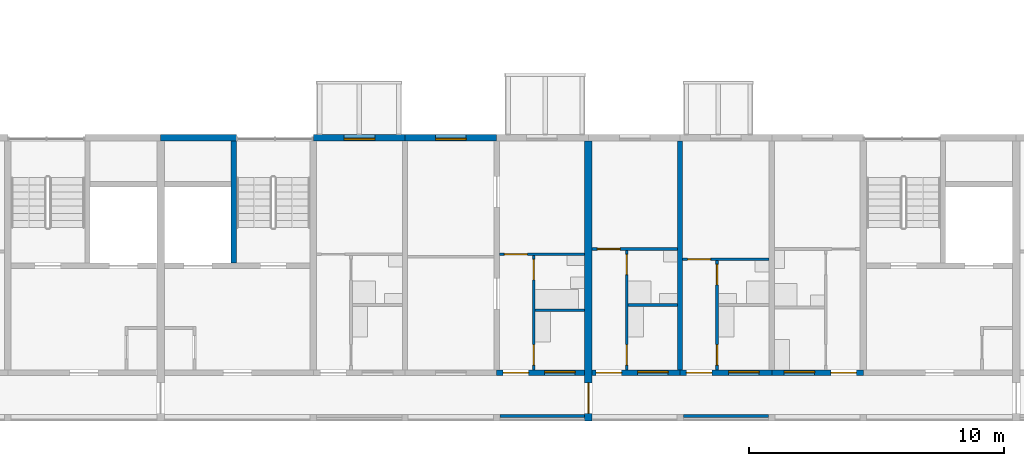
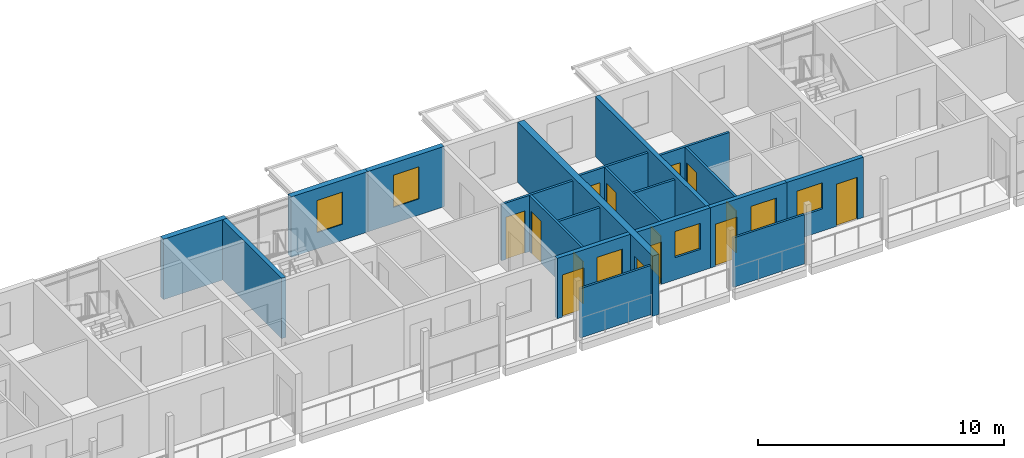
# One storey, part 36 of 94: 20 walls, 14 doors, 6 windows, 20 openings.
"""IFC4 building model written with IfcOpenShell, lengths in metres."""

from ifc_helpers import new_model, si_unit, direction, frame, frame_2d, origin, place, context, subcontext, project, spatial, rectangle, extrude, material, layer, layer_set, type_object, element, fill, save


model = new_model("IFC4")

# Units and contexts
model_context = context("Model", 3, precision=1e-05, world=origin(), true_north=direction((0.0, 1.0)))
body_context = subcontext(model_context, "Body", "Model", "MODEL_VIEW")
ifc_project = project(units=[si_unit("LENGTHUNIT", "METRE"), si_unit("AREAUNIT", "SQUARE_METRE"), si_unit("VOLUMEUNIT", "CUBIC_METRE"), si_unit("PLANEANGLEUNIT", "RADIAN"), si_unit("MASSUNIT", "GRAM", prefix="KILO")], contexts=[model_context])

# Site, building, storey
site_placement = place(None, origin())
site = spatial("IfcSite", under=ifc_project, at=site_placement, CompositionType="ELEMENT")
building_placement = place(site_placement, origin())
building = spatial("IfcBuilding", under=site, at=building_placement, Name="Ridgestep Commons", CompositionType="ELEMENT")
storey_placement = place(building_placement, frame((0.0, 0.0, 24.0)))
storey = spatial("IfcBuildingStorey", under=building, at=storey_placement, Name="L08", CompositionType="ELEMENT", Elevation=24.0)

# Walls
ifc_material_1 = material(Name="Concrete C30/37", Category="concrete")
ifc_layer_1 = layer(ifc_material_1, 0.199951171875)
ifc_layer_set_1 = layer_set([ifc_layer_1], Name="Core wall 200")
wall_type_1 = type_object("IfcWallType", Name="Core wall 200", PredefinedType="SHEAR", material=ifc_layer_set_1)
wall_1_placement = place(storey_placement, frame((48.47509765625, 17.949951171875, 0.0), z_axis=(0.0, 0.0, 1.0), x_axis=(0.0, 1.0, 0.0)))
element("IfcWall", 1, at=wall_1_placement, inside=storey, type_object=wall_type_1, Name="Core stair wall A3C L08", PredefinedType="SHEAR", context=body_context, shape_type="SweptSolid", body=[
    extrude(rectangle(XDim=4.800048828125, YDim=0.199951171875, at=frame_2d((2.39990234375, 0.0))), origin(), (0.0, 0.0, 1.0), 3.0),
])
ifc_material_2 = material(Name="Precast concrete C40/50", Category="concrete")
ifc_layer_2 = layer(ifc_material_2, 0.199951171875)
ifc_layer_set_2 = layer_set([ifc_layer_2], Name="Cross wall 200")
wall_type_2 = type_object("IfcWallType", Name="Cross wall 200", PredefinedType="SHEAR", material=ifc_layer_set_2)
wall_2_placement = place(storey_placement, frame((66.0, 13.75, 0.0), z_axis=(0.0, 0.0, 1.0), x_axis=(0.0, 1.0, 0.0)))
element("IfcWall", 2, at=wall_2_placement, inside=storey, type_object=wall_type_2, Name="Cross wall A-08-0660", PredefinedType="SHEAR", context=body_context, shape_type="SweptSolid", body=[
    extrude(rectangle(XDim=9.0, YDim=0.199951171875, at=frame_2d((4.5, 0.0))), origin(), (0.0, 0.0, 1.0), 3.0),
])

# Wall, opening, door
ifc_material_3 = material(Name="Precast concrete C40/50", Category="concrete")
ifc_layer_3 = layer(ifc_material_3, 0.300048828125)
ifc_layer_set_3 = layer_set([ifc_layer_3], Name="Division wall 300")
wall_type_3 = type_object("IfcWallType", Name="Division wall 300", PredefinedType="SHEAR", material=ifc_layer_set_3)
wall_3_placement = place(storey_placement, frame((62.39990234375, 11.75, 0.0), z_axis=(0.0, 0.0, 1.0), x_axis=(0.0, 1.0, 0.0)))
wall_3 = element("IfcWall", 3, at=wall_3_placement, inside=storey, type_object=wall_type_3, Name="Cross wall A-08-0624", PredefinedType="SHEAR", context=body_context, shape_type="SweptSolid", body=[
    extrude(rectangle(XDim=11.0, YDim=0.300048828125, at=frame_2d((5.5, 0.0))), origin(), (0.0, 0.0, 1.0), 3.0),
])
opening_1_placement = place(wall_3_placement, frame((0.300048828125, 0.0, 0.0)))
opening_1 = element("IfcOpeningElement", 4, at=opening_1_placement, cuts=wall_3, Name="Opening A/08/G0624", PredefinedType="OPENING", context=body_context, shape_type="SweptSolid", body=[
    extrude(rectangle(XDim=1.199951171875, YDim=2.10009765625, at=frame_2d((0.60009765625, 1.050048828125))), frame((0.0, 0.159912109375, 0.0), z_axis=(0.0, -1.0, 0.0), x_axis=(1.0, 0.0, 0.0)), (0.0, 0.0, 1.0), 0.320068359375),
])
ifc_material_4 = material(Name="Steel fire door", Category="steel")
door_type_1 = type_object("IfcDoorType", Name="Division fire door 1200 x 2100 EI 240", OperationType="DOUBLE_DOOR_SINGLE_SWING", PredefinedType="DOOR", material=ifc_material_4)
door_1_placement = place(opening_1_placement, origin())
door_1 = element("IfcDoor", 5, at=door_1_placement, inside=storey, type_object=door_type_1, Name="Division fire door A/08/G0624", OperationType="DOUBLE_DOOR_SINGLE_SWING", OverallHeight=2.10009765625, OverallWidth=1.199951171875, PredefinedType="DOOR", context=body_context, shape_type="SweptSolid", body=[
    extrude(rectangle(XDim=1.199951171875, YDim=2.10009765625, at=frame_2d((0.60009765625, 1.050048828125))), frame((0.0, 0.02490234375, 0.0), z_axis=(0.0, -1.0, 0.0), x_axis=(1.0, 0.0, 0.0)), (0.0, 0.0, 1.0), 0.050048828125),
])
fill(opening_1, door_1)

# Wall
ifc_material_5 = material(Name="Precast concrete C40/50", Category="concrete")
ifc_layer_4 = layer(ifc_material_5, 0.25)
ifc_layer_set_4 = layer_set([ifc_layer_4], Name="North facade panel 250")
wall_type_4 = type_object("IfcWallType", Name="North facade panel 250", PredefinedType="SOLIDWALL", material=ifc_layer_set_4)
wall_4_placement = place(storey_placement, frame((45.60009765625, 22.875, 0.0), z_axis=(0.0, 0.0, 1.0), x_axis=(1.0, 0.0, 0.0)))
element("IfcWall", 6, at=wall_4_placement, inside=storey, type_object=wall_type_4, Name="North panel A3C L08", PredefinedType="SOLIDWALL", context=body_context, shape_type="SweptSolid", body=[
    extrude(rectangle(XDim=2.974853515625, YDim=0.25, at=frame_2d((1.4873046875, 0.0))), origin(), (0.0, 0.0, 1.0), 3.0),
])

# Wall, opening, window
wall_5_placement = place(storey_placement, frame((51.60009765625, 22.875, 0.0), z_axis=(0.0, 0.0, 1.0), x_axis=(1.0, 0.0, 0.0)))
wall_5 = element("IfcWall", 7, at=wall_5_placement, inside=storey, type_object=wall_type_4, Name="North panel A3T3 L08", PredefinedType="SOLIDWALL", context=body_context, shape_type="SweptSolid", body=[
    extrude(rectangle(XDim=3.599853515625, YDim=0.25, at=frame_2d((1.7998046875, 0.0))), origin(), (0.0, 0.0, 1.0), 3.0),
])
opening_2_placement = place(wall_5_placement, frame((1.21240234375, 0.0, 0.800048828125)))
opening_2 = element("IfcOpeningElement", 8, at=opening_2_placement, cuts=wall_5, Name="Opening W11", PredefinedType="OPENING", context=body_context, shape_type="SweptSolid", body=[
    extrude(rectangle(XDim=1.199951171875, YDim=1.60009765625, at=frame_2d((0.60009765625, 0.800048828125))), frame((0.0, 0.135009765625, 0.0), z_axis=(0.0, -1.0, 0.0), x_axis=(1.0, 0.0, 0.0)), (0.0, 0.0, 1.0), 0.27001953125),
])
ifc_material_6 = material(Name="Aluminium 6063-T6 and glass", Category="aluminium")
window_type_1 = type_object("IfcWindowType", Name="Flat window 1200 x 1600", PartitioningType="SINGLE_PANEL", PredefinedType="WINDOW", material=ifc_material_6)
window_1_placement = place(opening_2_placement, origin())
window_1 = element("IfcWindow", 9, at=window_1_placement, inside=storey, type_object=window_type_1, Name="Window A3-08b 2", OverallHeight=1.60009765625, OverallWidth=1.199951171875, PartitioningType="SINGLE_PANEL", PredefinedType="WINDOW", context=body_context, shape_type="SweptSolid", body=[
    extrude(rectangle(XDim=1.199951171875, YDim=1.60009765625, at=frame_2d((0.60009765625, 0.800048828125))), frame((0.0, -0.02490234375, 0.0), z_axis=(0.0, -1.0, 0.0), x_axis=(1.0, 0.0, 0.0)), (0.0, 0.0, 1.0), 0.06005859375),
])
fill(opening_2, window_1)

wall_6_placement = place(storey_placement, frame((55.199951171875, 22.875, 0.0), z_axis=(0.0, 0.0, 1.0), x_axis=(1.0, 0.0, 0.0)))
wall_6 = element("IfcWall", 10, at=wall_6_placement, inside=storey, type_object=wall_type_4, Name="North panel A3T2 L08", PredefinedType="SOLIDWALL", context=body_context, shape_type="SweptSolid", body=[
    extrude(rectangle(XDim=3.60009765625, YDim=0.25, at=frame_2d((1.800048828125, 0.0))), origin(), (0.0, 0.0, 1.0), 3.0),
])
opening_3_placement = place(wall_6_placement, frame((1.199951171875, 0.0, 0.800048828125)))
opening_3 = element("IfcOpeningElement", 11, at=opening_3_placement, cuts=wall_6, Name="Opening W11", PredefinedType="OPENING", context=body_context, shape_type="SweptSolid", body=[
    extrude(rectangle(XDim=1.199951171875, YDim=1.60009765625, at=frame_2d((0.60009765625, 0.800048828125))), frame((0.0, 0.135009765625, 0.0), z_axis=(0.0, -1.0, 0.0), x_axis=(1.0, 0.0, 0.0)), (0.0, 0.0, 1.0), 0.27001953125),
])
window_2_placement = place(opening_3_placement, origin())
window_2 = element("IfcWindow", 12, at=window_2_placement, inside=storey, type_object=window_type_1, Name="Window A3-08a 2", OverallHeight=1.60009765625, OverallWidth=1.199951171875, PartitioningType="SINGLE_PANEL", PredefinedType="WINDOW", context=body_context, shape_type="SweptSolid", body=[
    extrude(rectangle(XDim=1.199951171875, YDim=1.60009765625, at=frame_2d((0.60009765625, 0.800048828125))), frame((0.0, -0.02490234375, 0.0), z_axis=(0.0, -1.0, 0.0), x_axis=(1.0, 0.0, 0.0)), (0.0, 0.0, 1.0), 0.06005859375),
])
fill(opening_3, window_2)

# Wall, openings, doors
ifc_material_7 = material(Name="Common brick 110 mm", Category="masonry")
ifc_layer_5 = layer(ifc_material_7, 0.110107421875)
ifc_layer_set_5 = layer_set([ifc_layer_5], Name="Partition 110")
wall_type_5 = type_object("IfcWallType", Name="Partition 110", PredefinedType="PARTITIONING", material=ifc_layer_set_5)
wall_7_placement = place(storey_placement, frame((60.2548828125, 13.75, 0.0), z_axis=(0.0, 0.0, 1.0), x_axis=(0.0, 1.0, 0.0)))
wall_7 = element("IfcWall", 13, at=wall_7_placement, inside=storey, type_object=wall_type_5, Name="Partition A3-08a", PredefinedType="PARTITIONING", context=body_context, shape_type="SweptSolid", body=[
    extrude(rectangle(XDim=4.5, YDim=0.110107421875, at=frame_2d((2.25, 0.0))), origin(), (0.0, 0.0, 1.0), 2.800048828125),
])
opening_4_placement = place(wall_7_placement, frame((0.199951171875, 0.0, 0.0)))
opening_4 = element("IfcOpeningElement", 14, at=opening_4_placement, cuts=wall_7, Name="Opening A3-08a/2", PredefinedType="OPENING", context=body_context, shape_type="SweptSolid", body=[
    extrude(rectangle(XDim=0.800048828125, YDim=2.10009765625, at=frame_2d((0.39990234375, 1.050048828125))), frame((0.0, 0.06494140625, 0.0), z_axis=(0.0, -1.0, 0.0), x_axis=(1.0, 0.0, 0.0)), (0.0, 0.0, 1.0), 0.130126953125),
])
opening_5_placement = place(wall_7_placement, frame((3.550048828125, 0.0, 0.0)))
opening_5 = element("IfcOpeningElement", 15, at=opening_5_placement, cuts=wall_7, Name="Opening A3-08a/3", PredefinedType="OPENING", context=body_context, shape_type="SweptSolid", body=[
    extrude(rectangle(XDim=0.800048828125, YDim=2.10009765625, at=frame_2d((0.39990234375, 1.050048828125))), frame((0.0, 0.06494140625, 0.0), z_axis=(0.0, -1.0, 0.0), x_axis=(1.0, 0.0, 0.0)), (0.0, 0.0, 1.0), 0.130126953125),
])
ifc_material_8 = material(Name="Timber door leaf", Category="wood")
door_type_2 = type_object("IfcDoorType", Name="Internal door 800 x 2100", OperationType="NOTDEFINED", PredefinedType="DOOR", material=ifc_material_8)
door_2_placement = place(opening_4_placement, origin())
door_2 = element("IfcDoor", 16, at=door_2_placement, inside=storey, type_object=door_type_2, Name="Internal door A3-08a/2", OperationType="SINGLE_SWING_RIGHT", OverallHeight=2.10009765625, OverallWidth=0.800048828125, PredefinedType="DOOR", context=body_context, shape_type="SweptSolid", body=[
    extrude(rectangle(XDim=0.800048828125, YDim=2.10009765625, at=frame_2d((0.39990234375, 1.050048828125))), frame((0.0, 0.02490234375, 0.0), z_axis=(0.0, -1.0, 0.0), x_axis=(1.0, 0.0, 0.0)), (0.0, 0.0, 1.0), 0.050048828125),
])
fill(opening_4, door_2)
door_3_placement = place(opening_5_placement, origin())
door_3 = element("IfcDoor", 17, at=door_3_placement, inside=storey, type_object=door_type_2, Name="Internal door A3-08a/3", OperationType="SINGLE_SWING_LEFT", OverallHeight=2.10009765625, OverallWidth=0.800048828125, PredefinedType="DOOR", context=body_context, shape_type="SweptSolid", body=[
    extrude(rectangle(XDim=0.800048828125, YDim=2.10009765625, at=frame_2d((0.39990234375, 1.050048828125))), frame((0.0, 0.02490234375, 0.0), z_axis=(0.0, -1.0, 0.0), x_axis=(1.0, 0.0, 0.0)), (0.0, 0.0, 1.0), 0.050048828125),
])
fill(opening_5, door_3)

# Wall
wall_8_placement = place(storey_placement, frame((60.31005859375, 16.10498046875, 0.0), z_axis=(0.0, 0.0, 1.0), x_axis=(1.0, 0.0, 0.0)))
element("IfcWall", 18, at=wall_8_placement, inside=storey, type_object=wall_type_5, Name="Partition A3-08a", PredefinedType="PARTITIONING", context=body_context, shape_type="SweptSolid", body=[
    extrude(rectangle(XDim=1.93994140625, YDim=0.110107421875, at=frame_2d((0.969970703125, 0.0))), origin(), (0.0, 0.0, 1.0), 2.800048828125),
])

# Wall, opening, door
wall_9_placement = place(storey_placement, frame((58.89990234375, 18.304931640625, 0.0), z_axis=(0.0, 0.0, 1.0), x_axis=(1.0, 0.0, 0.0)))
wall_9 = element("IfcWall", 19, at=wall_9_placement, inside=storey, type_object=wall_type_5, Name="Partition A3-08a", PredefinedType="PARTITIONING", context=body_context, shape_type="SweptSolid", body=[
    extrude(rectangle(XDim=3.35009765625, YDim=0.110107421875, at=frame_2d((1.675048828125, 0.0))), origin(), (0.0, 0.0, 1.0), 2.800048828125),
])
opening_6_placement = place(wall_9_placement, frame((0.199951171875, 0.0, 0.0)))
opening_6 = element("IfcOpeningElement", 20, at=opening_6_placement, cuts=wall_9, Name="Opening A3-08a/4", PredefinedType="OPENING", context=body_context, shape_type="SweptSolid", body=[
    extrude(rectangle(XDim=0.89990234375, YDim=2.10009765625, at=frame_2d((0.449951171875, 1.050048828125))), frame((0.0, 0.06494140625, 0.0), z_axis=(0.0, -1.0, 0.0), x_axis=(1.0, 0.0, 0.0)), (0.0, 0.0, 1.0), 0.130126953125),
])
ifc_material_9 = material(Name="Timber door leaf", Category="wood")
door_type_3 = type_object("IfcDoorType", Name="Internal door 900 x 2100", OperationType="NOTDEFINED", PredefinedType="DOOR", material=ifc_material_9)
door_4_placement = place(opening_6_placement, origin())
door_4 = element("IfcDoor", 21, at=door_4_placement, inside=storey, type_object=door_type_3, Name="Internal door A3-08a/4", OperationType="SINGLE_SWING_LEFT", OverallHeight=2.10009765625, OverallWidth=0.89990234375, PredefinedType="DOOR", context=body_context, shape_type="SweptSolid", body=[
    extrude(rectangle(XDim=0.89990234375, YDim=2.10009765625, at=frame_2d((0.449951171875, 1.050048828125))), frame((0.0, 0.02490234375, 0.0), z_axis=(0.0, -1.0, 0.0), x_axis=(1.0, 0.0, 0.0)), (0.0, 0.0, 1.0), 0.050048828125),
])
fill(opening_6, door_4)

# Wall, openings, doors
wall_10_placement = place(storey_placement, frame((63.905029296875, 13.75, 0.0), z_axis=(0.0, 0.0, 1.0), x_axis=(0.0, 1.0, 0.0)))
wall_10 = element("IfcWall", 22, at=wall_10_placement, inside=storey, type_object=wall_type_5, Name="Partition A4-08a", PredefinedType="PARTITIONING", context=body_context, shape_type="SweptSolid", body=[
    extrude(rectangle(XDim=4.699951171875, YDim=0.110107421875, at=frame_2d((2.35009765625, 0.0))), origin(), (0.0, 0.0, 1.0), 2.800048828125),
])
opening_7_placement = place(wall_10_placement, frame((0.199951171875, 0.0, 0.0)))
opening_7 = element("IfcOpeningElement", 23, at=opening_7_placement, cuts=wall_10, Name="Opening A4-08a/2", PredefinedType="OPENING", context=body_context, shape_type="SweptSolid", body=[
    extrude(rectangle(XDim=0.800048828125, YDim=2.10009765625, at=frame_2d((0.39990234375, 1.050048828125))), frame((0.0, 0.06494140625, 0.0), z_axis=(0.0, -1.0, 0.0), x_axis=(1.0, 0.0, 0.0)), (0.0, 0.0, 1.0), 0.130126953125),
])
opening_8_placement = place(wall_10_placement, frame((3.75, 0.0, 0.0)))
opening_8 = element("IfcOpeningElement", 24, at=opening_8_placement, cuts=wall_10, Name="Opening A4-08a/3", PredefinedType="OPENING", context=body_context, shape_type="SweptSolid", body=[
    extrude(rectangle(XDim=0.800048828125, YDim=2.10009765625, at=frame_2d((0.39990234375, 1.050048828125))), frame((0.0, 0.06494140625, 0.0), z_axis=(0.0, -1.0, 0.0), x_axis=(1.0, 0.0, 0.0)), (0.0, 0.0, 1.0), 0.130126953125),
])
door_5_placement = place(opening_7_placement, origin())
door_5 = element("IfcDoor", 25, at=door_5_placement, inside=storey, type_object=door_type_2, Name="Internal door A4-08a/2", OperationType="SINGLE_SWING_RIGHT", OverallHeight=2.10009765625, OverallWidth=0.800048828125, PredefinedType="DOOR", context=body_context, shape_type="SweptSolid", body=[
    extrude(rectangle(XDim=0.800048828125, YDim=2.10009765625, at=frame_2d((0.39990234375, 1.050048828125))), frame((0.0, 0.02490234375, 0.0), z_axis=(0.0, -1.0, 0.0), x_axis=(1.0, 0.0, 0.0)), (0.0, 0.0, 1.0), 0.050048828125),
])
fill(opening_7, door_5)
door_6_placement = place(opening_8_placement, origin())
door_6 = element("IfcDoor", 26, at=door_6_placement, inside=storey, type_object=door_type_2, Name="Internal door A4-08a/3", OperationType="SINGLE_SWING_LEFT", OverallHeight=2.10009765625, OverallWidth=0.800048828125, PredefinedType="DOOR", context=body_context, shape_type="SweptSolid", body=[
    extrude(rectangle(XDim=0.800048828125, YDim=2.10009765625, at=frame_2d((0.39990234375, 1.050048828125))), frame((0.0, 0.02490234375, 0.0), z_axis=(0.0, -1.0, 0.0), x_axis=(1.0, 0.0, 0.0)), (0.0, 0.0, 1.0), 0.050048828125),
])
fill(opening_8, door_6)

# Wall
wall_11_placement = place(storey_placement, frame((63.9599609375, 16.304931640625, 0.0), z_axis=(0.0, 0.0, 1.0), x_axis=(1.0, 0.0, 0.0)))
element("IfcWall", 27, at=wall_11_placement, inside=storey, type_object=wall_type_5, Name="Partition A4-08a", PredefinedType="PARTITIONING", context=body_context, shape_type="SweptSolid", body=[
    extrude(rectangle(XDim=1.93994140625, YDim=0.110107421875, at=frame_2d((0.969970703125, 0.0))), origin(), (0.0, 0.0, 1.0), 2.800048828125),
])

# Wall, opening, door
wall_12_placement = place(storey_placement, frame((62.550048828125, 18.5048828125, 0.0), z_axis=(0.0, 0.0, 1.0), x_axis=(1.0, 0.0, 0.0)))
wall_12 = element("IfcWall", 28, at=wall_12_placement, inside=storey, type_object=wall_type_5, Name="Partition A4-08a", PredefinedType="PARTITIONING", context=body_context, shape_type="SweptSolid", body=[
    extrude(rectangle(XDim=3.349853515625, YDim=0.110107421875, at=frame_2d((1.6748046875, 0.0))), origin(), (0.0, 0.0, 1.0), 2.800048828125),
])
opening_9_placement = place(wall_12_placement, frame((0.199951171875, 0.0, 0.0)))
opening_9 = element("IfcOpeningElement", 29, at=opening_9_placement, cuts=wall_12, Name="Opening A4-08a/4", PredefinedType="OPENING", context=body_context, shape_type="SweptSolid", body=[
    extrude(rectangle(XDim=0.89990234375, YDim=2.10009765625, at=frame_2d((0.449951171875, 1.050048828125))), frame((0.0, 0.06494140625, 0.0), z_axis=(0.0, -1.0, 0.0), x_axis=(1.0, 0.0, 0.0)), (0.0, 0.0, 1.0), 0.130126953125),
])
door_7_placement = place(opening_9_placement, origin())
door_7 = element("IfcDoor", 30, at=door_7_placement, inside=storey, type_object=door_type_3, Name="Internal door A4-08a/4", OperationType="SINGLE_SWING_LEFT", OverallHeight=2.10009765625, OverallWidth=0.89990234375, PredefinedType="DOOR", context=body_context, shape_type="SweptSolid", body=[
    extrude(rectangle(XDim=0.89990234375, YDim=2.10009765625, at=frame_2d((0.449951171875, 1.050048828125))), frame((0.0, 0.02490234375, 0.0), z_axis=(0.0, -1.0, 0.0), x_axis=(1.0, 0.0, 0.0)), (0.0, 0.0, 1.0), 0.050048828125),
])
fill(opening_9, door_7)

# Wall, openings, doors
wall_13_placement = place(storey_placement, frame((67.455078125, 13.75, 0.0), z_axis=(0.0, 0.0, 1.0), x_axis=(0.0, 1.0, 0.0)))
wall_13 = element("IfcWall", 31, at=wall_13_placement, inside=storey, type_object=wall_type_5, Name="Partition A4-08b", PredefinedType="PARTITIONING", context=body_context, shape_type="SweptSolid", body=[
    extrude(rectangle(XDim=4.300048828125, YDim=0.110107421875, at=frame_2d((2.14990234375, 0.0))), origin(), (0.0, 0.0, 1.0), 2.800048828125),
])
opening_10_placement = place(wall_13_placement, frame((0.199951171875, 0.0, 0.0)))
opening_10 = element("IfcOpeningElement", 32, at=opening_10_placement, cuts=wall_13, Name="Opening A4-08b/2", PredefinedType="OPENING", context=body_context, shape_type="SweptSolid", body=[
    extrude(rectangle(XDim=0.800048828125, YDim=2.10009765625, at=frame_2d((0.39990234375, 1.050048828125))), frame((0.0, 0.06494140625, 0.0), z_axis=(0.0, -1.0, 0.0), x_axis=(1.0, 0.0, 0.0)), (0.0, 0.0, 1.0), 0.130126953125),
])
opening_11_placement = place(wall_13_placement, frame((3.35009765625, 0.0, 0.0)))
opening_11 = element("IfcOpeningElement", 33, at=opening_11_placement, cuts=wall_13, Name="Opening A4-08b/3", PredefinedType="OPENING", context=body_context, shape_type="SweptSolid", body=[
    extrude(rectangle(XDim=0.800048828125, YDim=2.10009765625, at=frame_2d((0.39990234375, 1.050048828125))), frame((0.0, 0.06494140625, 0.0), z_axis=(0.0, -1.0, 0.0), x_axis=(1.0, 0.0, 0.0)), (0.0, 0.0, 1.0), 0.130126953125),
])
door_8_placement = place(opening_10_placement, origin())
door_8 = element("IfcDoor", 34, at=door_8_placement, inside=storey, type_object=door_type_2, Name="Internal door A4-08b/2", OperationType="SINGLE_SWING_RIGHT", OverallHeight=2.10009765625, OverallWidth=0.800048828125, PredefinedType="DOOR", context=body_context, shape_type="SweptSolid", body=[
    extrude(rectangle(XDim=0.800048828125, YDim=2.10009765625, at=frame_2d((0.39990234375, 1.050048828125))), frame((0.0, 0.02490234375, 0.0), z_axis=(0.0, -1.0, 0.0), x_axis=(1.0, 0.0, 0.0)), (0.0, 0.0, 1.0), 0.050048828125),
])
fill(opening_10, door_8)
door_9_placement = place(opening_11_placement, origin())
door_9 = element("IfcDoor", 35, at=door_9_placement, inside=storey, type_object=door_type_2, Name="Internal door A4-08b/3", OperationType="SINGLE_SWING_LEFT", OverallHeight=2.10009765625, OverallWidth=0.800048828125, PredefinedType="DOOR", context=body_context, shape_type="SweptSolid", body=[
    extrude(rectangle(XDim=0.800048828125, YDim=2.10009765625, at=frame_2d((0.39990234375, 1.050048828125))), frame((0.0, 0.02490234375, 0.0), z_axis=(0.0, -1.0, 0.0), x_axis=(1.0, 0.0, 0.0)), (0.0, 0.0, 1.0), 0.050048828125),
])
fill(opening_11, door_9)

# Wall, opening, door
wall_14_placement = place(storey_placement, frame((66.10009765625, 18.10498046875, 0.0), z_axis=(0.0, 0.0, 1.0), x_axis=(1.0, 0.0, 0.0)))
wall_14 = element("IfcWall", 36, at=wall_14_placement, inside=storey, type_object=wall_type_5, Name="Partition A4-08b", PredefinedType="PARTITIONING", context=body_context, shape_type="SweptSolid", body=[
    extrude(rectangle(XDim=3.39990234375, YDim=0.110107421875, at=frame_2d((1.699951171875, 0.0))), origin(), (0.0, 0.0, 1.0), 2.800048828125),
])
opening_12_placement = place(wall_14_placement, frame((0.199951171875, 0.0, 0.0)))
opening_12 = element("IfcOpeningElement", 37, at=opening_12_placement, cuts=wall_14, Name="Opening A4-08b/4", PredefinedType="OPENING", context=body_context, shape_type="SweptSolid", body=[
    extrude(rectangle(XDim=0.89990234375, YDim=2.10009765625, at=frame_2d((0.449951171875, 1.050048828125))), frame((0.0, 0.06494140625, 0.0), z_axis=(0.0, -1.0, 0.0), x_axis=(1.0, 0.0, 0.0)), (0.0, 0.0, 1.0), 0.130126953125),
])
door_10_placement = place(opening_12_placement, origin())
door_10 = element("IfcDoor", 38, at=door_10_placement, inside=storey, type_object=door_type_3, Name="Internal door A4-08b/4", OperationType="SINGLE_SWING_RIGHT", OverallHeight=2.10009765625, OverallWidth=0.89990234375, PredefinedType="DOOR", context=body_context, shape_type="SweptSolid", body=[
    extrude(rectangle(XDim=0.89990234375, YDim=2.10009765625, at=frame_2d((0.449951171875, 1.050048828125))), frame((0.0, 0.02490234375, 0.0), z_axis=(0.0, -1.0, 0.0), x_axis=(1.0, 0.0, 0.0)), (0.0, 0.0, 1.0), 0.050048828125),
])
fill(opening_12, door_10)

# Walls
ifc_material_10 = material(Name="Precast concrete C30/37", Category="concrete")
ifc_layer_6 = layer(ifc_material_10, 0.10009765625)
ifc_layer_set_6 = layer_set([ifc_layer_6], Name="Perforated gallery screen 3325 x 2450 x 100")
wall_type_6 = type_object("IfcWallType", Name="Perforated gallery screen 3325 x 2450 x 100", PredefinedType="SOLIDWALL", material=ifc_layer_set_6)
wall_15_placement = place(storey_placement, frame((58.925048828125, 11.949951171875, 0.0), z_axis=(0.0, 0.0, 1.0), x_axis=(1.0, 0.0, 0.0)))
element("IfcWall", 39, at=wall_15_placement, inside=storey, type_object=wall_type_6, Name="Gallery screen A3T1 08", PredefinedType="SOLIDWALL", context=body_context, shape_type="SweptSolid", body=[
    extrude(rectangle(XDim=3.324951171875, YDim=0.10009765625, at=frame_2d((1.66259765625, 0.0))), origin(), (0.0, 0.0, 1.0), 2.449951171875),
])
ifc_material_11 = material(Name="Precast concrete C30/37", Category="concrete")
ifc_layer_7 = layer(ifc_material_11, 0.10009765625)
ifc_layer_set_7 = layer_set([ifc_layer_7], Name="Perforated gallery screen 3350 x 2450 x 100")
wall_type_7 = type_object("IfcWallType", Name="Perforated gallery screen 3350 x 2450 x 100", PredefinedType="SOLIDWALL", material=ifc_layer_set_7)
wall_16_placement = place(storey_placement, frame((66.125, 11.949951171875, 0.0), z_axis=(0.0, 0.0, 1.0), x_axis=(1.0, 0.0, 0.0)))
element("IfcWall", 40, at=wall_16_placement, inside=storey, type_object=wall_type_7, Name="Gallery screen A4T2 08", PredefinedType="SOLIDWALL", context=body_context, shape_type="SweptSolid", body=[
    extrude(rectangle(XDim=3.35009765625, YDim=0.10009765625, at=frame_2d((1.675048828125, 0.0))), origin(), (0.0, 0.0, 1.0), 2.449951171875),
])

# Wall, openings, door, window
ifc_material_12 = material(Name="Precast concrete C40/50", Category="concrete")
ifc_layer_8 = layer(ifc_material_12, 0.199951171875)
ifc_layer_set_8 = layer_set([ifc_layer_8], Name="South facade panel 200")
wall_type_8 = type_object("IfcWallType", Name="South facade panel 200", PredefinedType="SOLIDWALL", material=ifc_layer_set_8)
wall_17_placement = place(storey_placement, frame((58.800048828125, 13.64990234375, 0.0), z_axis=(0.0, 0.0, 1.0), x_axis=(1.0, 0.0, 0.0)))
wall_17 = element("IfcWall", 41, at=wall_17_placement, inside=storey, type_object=wall_type_8, Name="South panel A3T1 L08", PredefinedType="SOLIDWALL", context=body_context, shape_type="SweptSolid", body=[
    extrude(rectangle(XDim=3.449951171875, YDim=0.199951171875, at=frame_2d((1.72509765625, 0.0))), origin(), (0.0, 0.0, 1.0), 3.0),
])
opening_13_placement = place(wall_17_placement, frame((1.8798828125, 0.0, 1.10009765625)))
opening_13 = element("IfcOpeningElement", 42, at=opening_13_placement, cuts=wall_17, Name="Opening W08", PredefinedType="OPENING", context=body_context, shape_type="SweptSolid", body=[
    extrude(rectangle(XDim=1.199951171875, YDim=1.300048828125, at=frame_2d((0.60009765625, 0.64990234375))), frame((0.0, 0.10986328125, 0.0), z_axis=(0.0, -1.0, 0.0), x_axis=(1.0, 0.0, 0.0)), (0.0, 0.0, 1.0), 0.219970703125),
])
opening_14_placement = place(wall_17_placement, frame((0.25, 0.0, 0.0)))
opening_14 = element("IfcOpeningElement", 43, at=opening_14_placement, cuts=wall_17, Name="Opening A3-08a/1", PredefinedType="OPENING", context=body_context, shape_type="SweptSolid", body=[
    extrude(rectangle(XDim=1.0, YDim=2.10009765625, at=frame_2d((0.5, 1.050048828125))), frame((0.0, 0.10986328125, 0.0), z_axis=(0.0, -1.0, 0.0), x_axis=(1.0, 0.0, 0.0)), (0.0, 0.0, 1.0), 0.219970703125),
])
ifc_material_13 = material(Name="Timber door leaf", Category="wood")
door_type_4 = type_object("IfcDoorType", Name="Flat entrance door 1000 x 2100 FD30S", OperationType="NOTDEFINED", PredefinedType="DOOR", material=ifc_material_13)
door_11_placement = place(opening_14_placement, origin())
door_11 = element("IfcDoor", 44, at=door_11_placement, inside=storey, type_object=door_type_4, Name="Flat entrance door A3-08a/1", OperationType="SINGLE_SWING_LEFT", OverallHeight=2.10009765625, OverallWidth=1.0, PredefinedType="DOOR", context=body_context, shape_type="SweptSolid", body=[
    extrude(rectangle(XDim=1.0, YDim=2.10009765625, at=frame_2d((0.5, 1.050048828125))), frame((0.0, 0.02490234375, 0.0), z_axis=(0.0, -1.0, 0.0), x_axis=(1.0, 0.0, 0.0)), (0.0, 0.0, 1.0), 0.050048828125),
])
fill(opening_14, door_11)
ifc_material_14 = material(Name="Aluminium 6063-T6 and glass", Category="aluminium")
window_type_2 = type_object("IfcWindowType", Name="Flat window 1200 x 1300", PartitioningType="SINGLE_PANEL", PredefinedType="WINDOW", material=ifc_material_14)
window_3_placement = place(opening_13_placement, origin())
window_3 = element("IfcWindow", 45, at=window_3_placement, inside=storey, type_object=window_type_2, Name="Window A3-08a 3", OverallHeight=1.300048828125, OverallWidth=1.199951171875, PartitioningType="SINGLE_PANEL", PredefinedType="WINDOW", context=body_context, shape_type="SweptSolid", body=[
    extrude(rectangle(XDim=1.199951171875, YDim=1.300048828125, at=frame_2d((0.60009765625, 0.64990234375))), frame((0.0, 0.06005859375, 0.0), z_axis=(0.0, -1.0, 0.0), x_axis=(1.0, 0.0, 0.0)), (0.0, 0.0, 1.0), 0.06005859375),
])
fill(opening_13, window_3)

wall_18_placement = place(storey_placement, frame((62.550048828125, 13.64990234375, 0.0), z_axis=(0.0, 0.0, 1.0), x_axis=(1.0, 0.0, 0.0)))
wall_18 = element("IfcWall", 46, at=wall_18_placement, inside=storey, type_object=wall_type_8, Name="South panel A4T1 L08", PredefinedType="SOLIDWALL", context=body_context, shape_type="SweptSolid", body=[
    extrude(rectangle(XDim=3.449951171875, YDim=0.199951171875, at=frame_2d((1.72509765625, 0.0))), origin(), (0.0, 0.0, 1.0), 3.0),
])
opening_15_placement = place(wall_18_placement, frame((1.780029296875, 0.0, 1.10009765625)))
opening_15 = element("IfcOpeningElement", 47, at=opening_15_placement, cuts=wall_18, Name="Opening W08", PredefinedType="OPENING", context=body_context, shape_type="SweptSolid", body=[
    extrude(rectangle(XDim=1.199951171875, YDim=1.300048828125, at=frame_2d((0.60009765625, 0.64990234375))), frame((0.0, 0.10986328125, 0.0), z_axis=(0.0, -1.0, 0.0), x_axis=(1.0, 0.0, 0.0)), (0.0, 0.0, 1.0), 0.219970703125),
])
opening_16_placement = place(wall_18_placement, frame((0.14990234375, 0.0, 0.0)))
opening_16 = element("IfcOpeningElement", 48, at=opening_16_placement, cuts=wall_18, Name="Opening A4-08a/1", PredefinedType="OPENING", context=body_context, shape_type="SweptSolid", body=[
    extrude(rectangle(XDim=1.0, YDim=2.10009765625, at=frame_2d((0.5, 1.050048828125))), frame((0.0, 0.10986328125, 0.0), z_axis=(0.0, -1.0, 0.0), x_axis=(1.0, 0.0, 0.0)), (0.0, 0.0, 1.0), 0.219970703125),
])
door_12_placement = place(opening_16_placement, origin())
door_12 = element("IfcDoor", 49, at=door_12_placement, inside=storey, type_object=door_type_4, Name="Flat entrance door A4-08a/1", OperationType="SINGLE_SWING_LEFT", OverallHeight=2.10009765625, OverallWidth=1.0, PredefinedType="DOOR", context=body_context, shape_type="SweptSolid", body=[
    extrude(rectangle(XDim=1.0, YDim=2.10009765625, at=frame_2d((0.5, 1.050048828125))), frame((0.0, 0.02490234375, 0.0), z_axis=(0.0, -1.0, 0.0), x_axis=(1.0, 0.0, 0.0)), (0.0, 0.0, 1.0), 0.050048828125),
])
fill(opening_16, door_12)
window_4_placement = place(opening_15_placement, origin())
window_4 = element("IfcWindow", 50, at=window_4_placement, inside=storey, type_object=window_type_2, Name="Window A4-08a 1", OverallHeight=1.300048828125, OverallWidth=1.199951171875, PartitioningType="SINGLE_PANEL", PredefinedType="WINDOW", context=body_context, shape_type="SweptSolid", body=[
    extrude(rectangle(XDim=1.199951171875, YDim=1.300048828125, at=frame_2d((0.60009765625, 0.64990234375))), frame((0.0, 0.06005859375, 0.0), z_axis=(0.0, -1.0, 0.0), x_axis=(1.0, 0.0, 0.0)), (0.0, 0.0, 1.0), 0.06005859375),
])
fill(opening_15, window_4)

wall_19_placement = place(storey_placement, frame((66.0, 13.64990234375, 0.0), z_axis=(0.0, 0.0, 1.0), x_axis=(1.0, 0.0, 0.0)))
wall_19 = element("IfcWall", 51, at=wall_19_placement, inside=storey, type_object=wall_type_8, Name="South panel A4T2 L08", PredefinedType="SOLIDWALL", context=body_context, shape_type="SweptSolid", body=[
    extrude(rectangle(XDim=3.60009765625, YDim=0.199951171875, at=frame_2d((1.800048828125, 0.0))), origin(), (0.0, 0.0, 1.0), 3.0),
])
opening_17_placement = place(wall_19_placement, frame((1.905029296875, 0.0, 1.10009765625)))
opening_17 = element("IfcOpeningElement", 52, at=opening_17_placement, cuts=wall_19, Name="Opening W08", PredefinedType="OPENING", context=body_context, shape_type="SweptSolid", body=[
    extrude(rectangle(XDim=1.199951171875, YDim=1.300048828125, at=frame_2d((0.60009765625, 0.64990234375))), frame((0.0, 0.10986328125, 0.0), z_axis=(0.0, -1.0, 0.0), x_axis=(1.0, 0.0, 0.0)), (0.0, 0.0, 1.0), 0.219970703125),
])
opening_18_placement = place(wall_19_placement, frame((0.25, 0.0, 0.0)))
opening_18 = element("IfcOpeningElement", 53, at=opening_18_placement, cuts=wall_19, Name="Opening A4-08b/1", PredefinedType="OPENING", context=body_context, shape_type="SweptSolid", body=[
    extrude(rectangle(XDim=1.0, YDim=2.10009765625, at=frame_2d((0.5, 1.050048828125))), frame((0.0, 0.10986328125, 0.0), z_axis=(0.0, -1.0, 0.0), x_axis=(1.0, 0.0, 0.0)), (0.0, 0.0, 1.0), 0.219970703125),
])
door_13_placement = place(opening_18_placement, origin())
door_13 = element("IfcDoor", 54, at=door_13_placement, inside=storey, type_object=door_type_4, Name="Flat entrance door A4-08b/1", OperationType="SINGLE_SWING_LEFT", OverallHeight=2.10009765625, OverallWidth=1.0, PredefinedType="DOOR", context=body_context, shape_type="SweptSolid", body=[
    extrude(rectangle(XDim=1.0, YDim=2.10009765625, at=frame_2d((0.5, 1.050048828125))), frame((0.0, 0.02490234375, 0.0), z_axis=(0.0, -1.0, 0.0), x_axis=(1.0, 0.0, 0.0)), (0.0, 0.0, 1.0), 0.050048828125),
])
fill(opening_18, door_13)
window_5_placement = place(opening_17_placement, origin())
window_5 = element("IfcWindow", 55, at=window_5_placement, inside=storey, type_object=window_type_2, Name="Window A4-08b 1", OverallHeight=1.300048828125, OverallWidth=1.199951171875, PartitioningType="SINGLE_PANEL", PredefinedType="WINDOW", context=body_context, shape_type="SweptSolid", body=[
    extrude(rectangle(XDim=1.199951171875, YDim=1.300048828125, at=frame_2d((0.60009765625, 0.64990234375))), frame((0.0, 0.06005859375, 0.0), z_axis=(0.0, -1.0, 0.0), x_axis=(1.0, 0.0, 0.0)), (0.0, 0.0, 1.0), 0.06005859375),
])
fill(opening_17, window_5)

wall_20_placement = place(storey_placement, frame((69.60009765625, 13.64990234375, 0.0), z_axis=(0.0, 0.0, 1.0), x_axis=(1.0, 0.0, 0.0)))
wall_20 = element("IfcWall", 56, at=wall_20_placement, inside=storey, type_object=wall_type_8, Name="South panel A4T3 L08", PredefinedType="SOLIDWALL", context=body_context, shape_type="SweptSolid", body=[
    extrude(rectangle(XDim=3.599853515625, YDim=0.199951171875, at=frame_2d((1.7998046875, 0.0))), origin(), (0.0, 0.0, 1.0), 3.0),
])
opening_19_placement = place(wall_20_placement, frame((0.482421875, 0.0, 1.10009765625)))
opening_19 = element("IfcOpeningElement", 57, at=opening_19_placement, cuts=wall_20, Name="Opening W08", PredefinedType="OPENING", context=body_context, shape_type="SweptSolid", body=[
    extrude(rectangle(XDim=1.199951171875, YDim=1.300048828125, at=frame_2d((0.60009765625, 0.64990234375))), frame((0.0, 0.10986328125, 0.0), z_axis=(0.0, -1.0, 0.0), x_axis=(1.0, 0.0, 0.0)), (0.0, 0.0, 1.0), 0.219970703125),
])
opening_20_placement = place(wall_20_placement, frame((2.324951171875, 0.0, 0.0)))
opening_20 = element("IfcOpeningElement", 58, at=opening_20_placement, cuts=wall_20, Name="Opening A4-08c/1", PredefinedType="OPENING", context=body_context, shape_type="SweptSolid", body=[
    extrude(rectangle(XDim=1.0, YDim=2.10009765625, at=frame_2d((0.5, 1.050048828125))), frame((0.0, 0.10986328125, 0.0), z_axis=(0.0, -1.0, 0.0), x_axis=(1.0, 0.0, 0.0)), (0.0, 0.0, 1.0), 0.219970703125),
])
door_14_placement = place(opening_20_placement, origin())
door_14 = element("IfcDoor", 59, at=door_14_placement, inside=storey, type_object=door_type_4, Name="Flat entrance door A4-08c/1", OperationType="SINGLE_SWING_RIGHT", OverallHeight=2.10009765625, OverallWidth=1.0, PredefinedType="DOOR", context=body_context, shape_type="SweptSolid", body=[
    extrude(rectangle(XDim=1.0, YDim=2.10009765625, at=frame_2d((0.5, 1.050048828125))), frame((0.0, 0.02490234375, 0.0), z_axis=(0.0, -1.0, 0.0), x_axis=(1.0, 0.0, 0.0)), (0.0, 0.0, 1.0), 0.050048828125),
])
fill(opening_20, door_14)
window_6_placement = place(opening_19_placement, origin())
window_6 = element("IfcWindow", 60, at=window_6_placement, inside=storey, type_object=window_type_2, Name="Window A4-08c 1", OverallHeight=1.300048828125, OverallWidth=1.199951171875, PartitioningType="SINGLE_PANEL", PredefinedType="WINDOW", context=body_context, shape_type="SweptSolid", body=[
    extrude(rectangle(XDim=1.199951171875, YDim=1.300048828125, at=frame_2d((0.60009765625, 0.64990234375))), frame((0.0, 0.06005859375, 0.0), z_axis=(0.0, -1.0, 0.0), x_axis=(1.0, 0.0, 0.0)), (0.0, 0.0, 1.0), 0.06005859375),
])
fill(opening_19, window_6)

save(model, "model.ifc")
